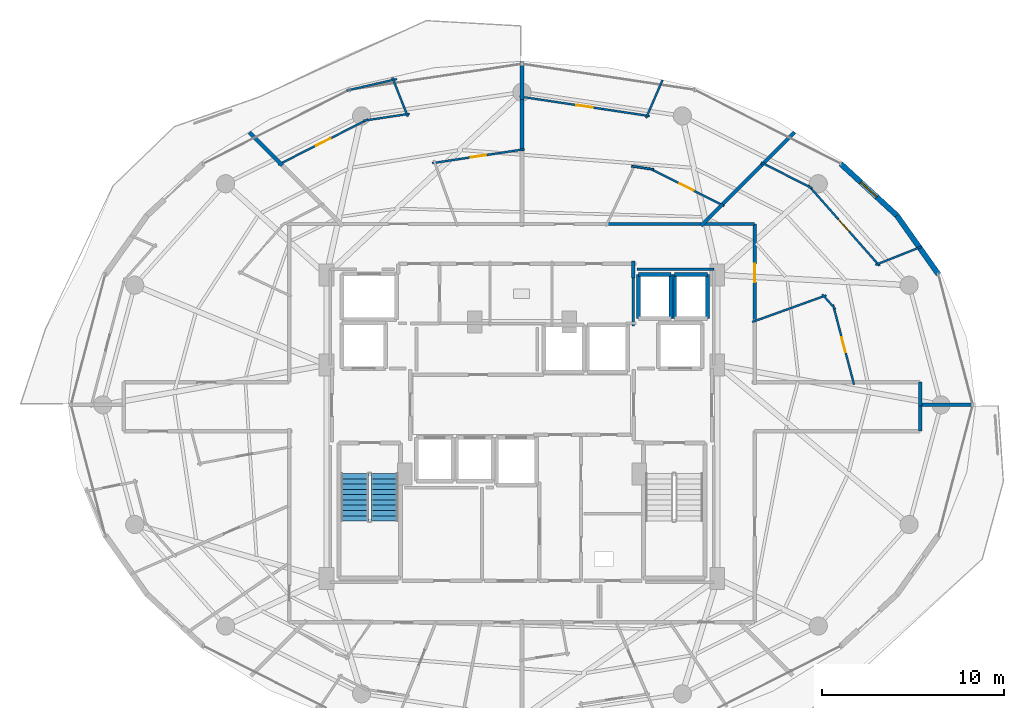
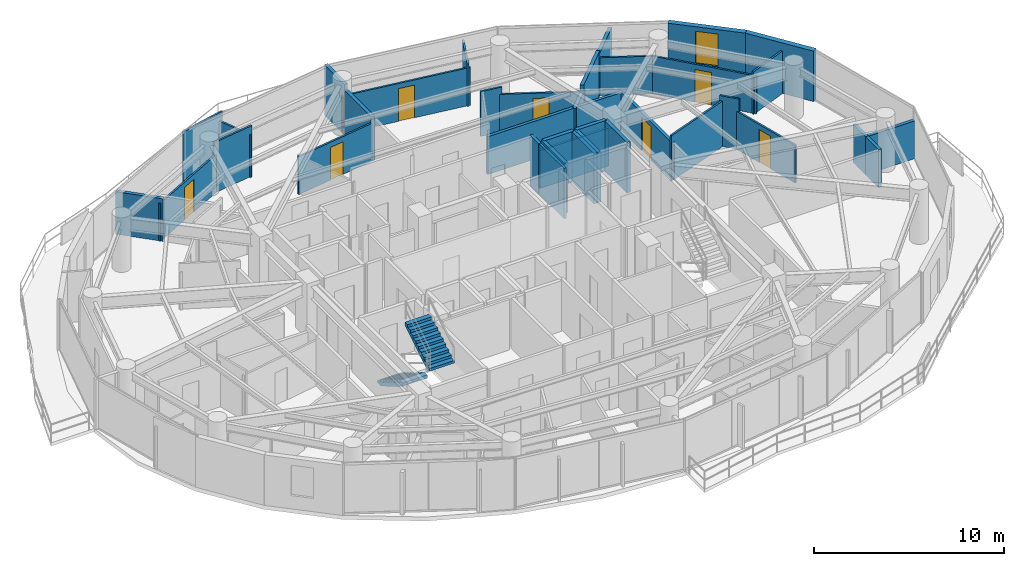
# One storey, part 26 of 31: 38 walls, 7 doors, 2 stair flights, 1 window, 8 openings, 1 element without a shape of its own.
"""IFC4 building model written with IfcOpenShell, lengths in metres."""

from ifc_helpers import new_model, si_unit, direction, frame, frame_2d, origin, place, context, subcontext, project, spatial, polyline, rectangle, outline, extrude, material, layer, layer_set, type_object, element, fill, aggregate, save


model = new_model("IFC4")

# Units and contexts
model_context = context("Model", 3, precision=1e-05, world=origin(), true_north=direction((0.0, 1.0)))
body_context = subcontext(model_context, "Body", "Model", "MODEL_VIEW")
ifc_project = project(units=[si_unit("LENGTHUNIT", "METRE"), si_unit("AREAUNIT", "SQUARE_METRE"), si_unit("VOLUMEUNIT", "CUBIC_METRE"), si_unit("PLANEANGLEUNIT", "RADIAN"), si_unit("MASSUNIT", "GRAM", prefix="KILO")], contexts=[model_context])

# Site, building, storey
site_placement = place(None, origin())
site = spatial("IfcSite", under=ifc_project, at=site_placement, CompositionType="ELEMENT")
building_placement = place(site_placement, origin())
building = spatial("IfcBuilding", under=site, at=building_placement, Name="Vorneva Point Tower", CompositionType="ELEMENT")
storey_placement = place(building_placement, frame((0.0, 0.0, 136.10009765625)))
storey = spatial("IfcBuildingStorey", under=building, at=storey_placement, Name="L36", CompositionType="ELEMENT", Elevation=136.10009765625)

# Wall
ifc_material_1 = material(Name="Precast concrete B50 (C40/50)", Category="concrete")
ifc_layer_1 = layer(ifc_material_1, 0.300048828125)
ifc_layer_set_1 = layer_set([ifc_layer_1], Name="Precast concrete B50 (C40/50)")
wall_type_1 = type_object("IfcWallType", Name="WL-EXT-300", PredefinedType="STANDARD", material=ifc_layer_set_1)
wall_1_placement = place(storey_placement, frame((60.912109375, 33.17529296875, 0.0), z_axis=(0.0, 0.0, 1.0), x_axis=(-0.577269753207, 0.816553508371, 0.0)))
element("IfcWall", 1, at=wall_1_placement, inside=storey, type_object=wall_type_1, Name="L36 Pale-Metal Facade Spandrel Wall 02.1", PredefinedType="STANDARD", context=body_context, shape_type="SweptSolid", body=[
    extrude(rectangle(XDim=3.969970703125, YDim=0.300048828125, at=frame_2d((1.98486328125, 0.0))), origin(), (0.0, 0.0, 1.0), 3.239990234375),
])

# Wall, opening, window
wall_2_placement = place(storey_placement, frame((58.620361328125, 36.4169921875, 0.0), z_axis=(0.0, 0.0, 1.0), x_axis=(-0.735477154165, 0.677549522693, 0.0)))
wall_2 = element("IfcWall", 2, at=wall_2_placement, inside=storey, type_object=wall_type_1, Name="L36 Pale-Metal Facade Spandrel Wall 02.2", PredefinedType="STANDARD", context=body_context, shape_type="SweptSolid", body=[
    extrude(rectangle(XDim=4.193603515625, YDim=0.300048828125, at=frame_2d((2.0966796875, 0.0))), origin(), (0.0, 0.0, 1.0), 3.239990234375),
])
opening_1_placement = place(wall_2_placement, frame((1.496826171875, 0.0, 0.85009765625)))
opening_1 = element("IfcOpeningElement", 3, at=opening_1_placement, cuts=wall_2, Name="Opening W-04", PredefinedType="OPENING", context=body_context, shape_type="SweptSolid", body=[
    extrude(rectangle(XDim=1.199951171875, YDim=2.10009765625, at=frame_2d((0.60009765625, 1.050048828125))), frame((0.0, 0.1650390625, 0.0), z_axis=(0.0, -1.0, 0.0), x_axis=(1.0, 0.0, 0.0)), (0.0, 0.0, 1.0), 0.329833984375),
])
ifc_material_2 = material(Name="Double low-e laminated glass IGU", Category="glass")
window_type = type_object("IfcWindowType", Name="WN-RES-1200", PartitioningType="SINGLE_PANEL", PredefinedType="WINDOW", material=ifc_material_2)
window_placement = place(opening_1_placement, origin())
window = element("IfcWindow", 4, at=window_placement, inside=storey, type_object=window_type, Name="L36 Facade Window 02", OverallHeight=2.10009765625, OverallWidth=1.199951171875, PartitioningType="SINGLE_PANEL", PredefinedType="WINDOW", context=body_context, shape_type="SweptSolid", body=[
    extrude(rectangle(XDim=1.199951171875, YDim=2.10009765625, at=frame_2d((0.60009765625, 1.050048828125))), frame((0.0, 0.030029296875, 0.0), z_axis=(0.0, -1.0, 0.0), x_axis=(1.0, 0.0, 0.0)), (0.0, 0.0, 1.0), 0.06005859375),
])
fill(opening_1, window)

# Walls
ifc_material_3 = material(Name="Fire-rated acoustic gypsum stud partition", Category="gypsum")
ifc_layer_2 = layer(ifc_material_3, 0.110107421875)
ifc_layer_set_2 = layer_set([ifc_layer_2], Name="Fire-rated acoustic gypsum stud partition")
wall_type_2 = type_object("IfcWallType", Name="WL-PART-110", PredefinedType="PARTITIONING", material=ifc_layer_set_2)
wall_3_placement = place(storey_placement, frame((50.668212890625, 30.560546875, 0.0), z_axis=(0.0, 0.0, 1.0), x_axis=(0.94086224956, 0.33878935543, 0.0)))
element("IfcWall", 5, at=wall_3_placement, inside=storey, type_object=wall_type_2, Name="L36 Interior Partition 065", PredefinedType="PARTITIONING", context=body_context, shape_type="SweptSolid", body=[
    extrude(rectangle(XDim=4.32958984375, YDim=0.110107421875, at=frame_2d((2.164794921875, 0.0))), origin(), (0.0, 0.0, 1.0), 2.921875),
])
wall_4_placement = place(storey_placement, frame((54.517333984375, 32.0849609375, 0.0), z_axis=(0.0, 0.0, 1.0), x_axis=(0.661444121134, -0.749994449724, 0.0)))
element("IfcWall", 6, at=wall_4_placement, inside=storey, type_object=wall_type_2, Name="L36 Interior Partition 066", PredefinedType="PARTITIONING", context=body_context, shape_type="SweptSolid", body=[
    extrude(rectangle(XDim=1.091796875, YDim=0.110107421875, at=frame_2d((0.5458984375, 0.0))), origin(), (0.0, 0.0, 1.0), 3.239990234375),
])

# Wall, opening, door
wall_5_placement = place(storey_placement, frame((55.111328125, 31.50634765625, 0.0), z_axis=(0.0, 0.0, 1.0), x_axis=(0.254395386743, -0.96710029842, 0.0)))
wall_5 = element("IfcWall", 7, at=wall_5_placement, inside=storey, type_object=wall_type_2, Name="L36 Interior Partition 067", PredefinedType="PARTITIONING", context=body_context, shape_type="SweptSolid", body=[
    extrude(rectangle(XDim=4.541259765625, YDim=0.110107421875, at=frame_2d((2.2705078125, 0.0))), origin(), (0.0, 0.0, 1.0), 2.431884765625),
])
opening_2_placement = place(wall_5_placement, frame((1.845703125, 0.0, 0.0)))
opening_2 = element("IfcOpeningElement", 8, at=opening_2_placement, cuts=wall_5, Name="Opening ID-02", PredefinedType="OPENING", context=body_context, shape_type="SweptSolid", body=[
    extrude(rectangle(XDim=0.85009765625, YDim=2.10009765625, at=frame_2d((0.425048828125, 1.050048828125))), frame((0.0, 0.06982421875, 0.0), z_axis=(0.0, -1.0, 0.0), x_axis=(1.0, 0.0, 0.0)), (0.0, 0.0, 1.0), 0.139892578125),
])
ifc_material_4 = material(Name="Engineered oak fire-rated door leaf", Category="wood")
door_type_1 = type_object("IfcDoorType", Name="DR-BATH-850", OperationType="NOTDEFINED", PredefinedType="DOOR", material=ifc_material_4)
door_1_placement = place(opening_2_placement, origin())
door_1 = element("IfcDoor", 9, at=door_1_placement, inside=storey, type_object=door_type_1, Name="L36 Door Studio Apartment L36-01 / Bathroom L36-01", OperationType="SINGLE_SWING_LEFT", OverallHeight=2.10009765625, OverallWidth=0.85009765625, PredefinedType="DOOR", context=body_context, shape_type="SweptSolid", body=[
    extrude(rectangle(XDim=0.85009765625, YDim=2.10009765625, at=frame_2d((0.425048828125, 1.050048828125))), frame((0.0, 0.02490234375, 0.0), z_axis=(0.0, -1.0, 0.0), x_axis=(1.0, 0.0, 0.0)), (0.0, 0.0, 1.0), 0.050048828125),
])
fill(opening_2, door_1)

# Wall
wall_6_placement = place(storey_placement, frame((59.9931640625, 34.70751953125, 0.0), z_axis=(0.0, 0.0, 1.0), x_axis=(-0.92976723416, -0.368147919025, 0.0)))
element("IfcWall", 10, at=wall_6_placement, inside=storey, type_object=wall_type_2, Name="L36 Interior Partition 068", PredefinedType="PARTITIONING", context=body_context, shape_type="SweptSolid", body=[
    extrude(rectangle(XDim=2.74072265625, YDim=0.110107421875, at=frame_2d((1.370361328125, 0.0))), origin(), (0.0, 0.0, 1.0), 2.727783203125),
])

# Wall, opening, door
wall_7_placement = place(storey_placement, frame((57.667724609375, 33.64501953125, 0.0), z_axis=(0.0, 0.0, 1.0), x_axis=(-0.66214504072, 0.749375703536, 0.0)))
wall_7 = element("IfcWall", 11, at=wall_7_placement, inside=storey, type_object=wall_type_2, Name="L36 Interior Partition 069", PredefinedType="PARTITIONING", context=body_context, shape_type="SweptSolid", body=[
    extrude(rectangle(XDim=5.92236328125, YDim=0.110107421875, at=frame_2d((2.961181640625, 0.0))), origin(), (0.0, 0.0, 1.0), 2.431884765625),
])
opening_3_placement = place(wall_7_placement, frame((2.510986328125, 0.0, 0.0)))
opening_3 = element("IfcOpeningElement", 12, at=opening_3_placement, cuts=wall_7, Name="Opening ID-01", PredefinedType="OPENING", context=body_context, shape_type="SweptSolid", body=[
    extrude(rectangle(XDim=0.89990234375, YDim=2.10009765625, at=frame_2d((0.449951171875, 1.050048828125))), frame((0.0, 0.06982421875, 0.0), z_axis=(0.0, -1.0, 0.0), x_axis=(1.0, 0.0, 0.0)), (0.0, 0.0, 1.0), 0.139892578125),
])
door_type_2 = type_object("IfcDoorType", Name="DR-ROOM-900", OperationType="NOTDEFINED", PredefinedType="DOOR", material=ifc_material_4)
door_2_placement = place(opening_3_placement, origin())
door_2 = element("IfcDoor", 13, at=door_2_placement, inside=storey, type_object=door_type_2, Name="L36 Door Studio Apartment L36-01 / Kitchen L36-01", OperationType="SINGLE_SWING_RIGHT", OverallHeight=2.10009765625, OverallWidth=0.89990234375, PredefinedType="DOOR", context=body_context, shape_type="SweptSolid", body=[
    extrude(rectangle(XDim=0.89990234375, YDim=2.10009765625, at=frame_2d((0.449951171875, 1.050048828125))), frame((0.0, 0.02490234375, 0.0), z_axis=(0.0, -1.0, 0.0), x_axis=(1.0, 0.0, 0.0)), (0.0, 0.0, 1.0), 0.050048828125),
])
fill(opening_3, door_2)

# Walls
wall_8_placement = place(storey_placement, frame((53.964111328125, 37.914794921875, 0.0), z_axis=(0.0, 0.0, 1.0), x_axis=(-0.892546166909, 0.450956028828, 0.0)))
element("IfcWall", 14, at=wall_8_placement, inside=storey, type_object=wall_type_2, Name="L36 Interior Partition 070", PredefinedType="PARTITIONING", context=body_context, shape_type="SweptSolid", body=[
    extrude(rectangle(XDim=3.154052734375, YDim=0.110107421875, at=frame_2d((1.5771484375, 0.0))), origin(), (0.0, 0.0, 1.0), 2.431884765625),
])
wall_9_placement = place(storey_placement, frame((44.029541015625, 39.128662109375, 0.0), z_axis=(0.0, 0.0, 1.0), x_axis=(0.988983067014, -0.148028690329, 0.0)))
element("IfcWall", 15, at=wall_9_placement, inside=storey, type_object=wall_type_2, Name="L36 Interior Partition 076", PredefinedType="PARTITIONING", context=body_context, shape_type="SweptSolid", body=[
    extrude(rectangle(XDim=1.225341796875, YDim=0.110107421875, at=frame_2d((0.61279296875, 0.0))), origin(), (0.0, 0.0, 1.0), 2.8740234375),
])

# Wall, opening, door
wall_10_placement = place(storey_placement, frame((44.97802734375, 39.031005859375, 0.0), z_axis=(0.0, 0.0, 1.0), x_axis=(0.892495276856, -0.451056737882, 0.0)))
wall_10 = element("IfcWall", 16, at=wall_10_placement, inside=storey, type_object=wall_type_2, Name="L36 Interior Partition 077", PredefinedType="PARTITIONING", context=body_context, shape_type="SweptSolid", body=[
    extrude(rectangle(XDim=4.64501953125, YDim=0.110107421875, at=frame_2d((2.322509765625, 0.0))), origin(), (0.0, 0.0, 1.0), 2.431884765625),
])
opening_4_placement = place(wall_10_placement, frame((1.897705078125, 0.0, 0.0)))
opening_4 = element("IfcOpeningElement", 17, at=opening_4_placement, cuts=wall_10, Name="Opening ID-02", PredefinedType="OPENING", context=body_context, shape_type="SweptSolid", body=[
    extrude(rectangle(XDim=0.85009765625, YDim=2.10009765625, at=frame_2d((0.425048828125, 1.050048828125))), frame((0.0, 0.06982421875, 0.0), z_axis=(0.0, -1.0, 0.0), x_axis=(1.0, 0.0, 0.0)), (0.0, 0.0, 1.0), 0.139892578125),
])
door_3_placement = place(opening_4_placement, origin())
door_3 = element("IfcDoor", 18, at=door_3_placement, inside=storey, type_object=door_type_1, Name="L36 Door Studio Apartment L36-02 / Bathroom L36-02", OperationType="SINGLE_SWING_LEFT", OverallHeight=2.10009765625, OverallWidth=0.85009765625, PredefinedType="DOOR", context=body_context, shape_type="SweptSolid", body=[
    extrude(rectangle(XDim=0.85009765625, YDim=2.10009765625, at=frame_2d((0.425048828125, 1.050048828125))), frame((0.0, 0.02490234375, 0.0), z_axis=(0.0, -1.0, 0.0), x_axis=(1.0, 0.0, 0.0)), (0.0, 0.0, 1.0), 0.050048828125),
])
fill(opening_4, door_3)

wall_11_placement = place(storey_placement, frame((45.021484375, 41.88427734375, 0.0), z_axis=(0.0, 0.0, 1.0), x_axis=(-0.988887079739, 0.148668569392, 0.0)))
wall_11 = element("IfcWall", 19, at=wall_11_placement, inside=storey, type_object=wall_type_2, Name="L36 Interior Partition 078", PredefinedType="PARTITIONING", context=body_context, shape_type="SweptSolid", body=[
    extrude(rectangle(XDim=7.240478515625, YDim=0.110107421875, at=frame_2d((3.6201171875, 0.0))), origin(), (0.0, 0.0, 1.0), 2.431884765625),
])
opening_5_placement = place(wall_11_placement, frame((3.170166015625, 0.0, 0.0)))
opening_5 = element("IfcOpeningElement", 20, at=opening_5_placement, cuts=wall_11, Name="Opening ID-01", PredefinedType="OPENING", context=body_context, shape_type="SweptSolid", body=[
    extrude(rectangle(XDim=0.89990234375, YDim=2.10009765625, at=frame_2d((0.449951171875, 1.050048828125))), frame((0.0, 0.06982421875, 0.0), z_axis=(0.0, -1.0, 0.0), x_axis=(1.0, 0.0, 0.0)), (0.0, 0.0, 1.0), 0.139892578125),
])
door_4_placement = place(opening_5_placement, origin())
door_4 = element("IfcDoor", 21, at=door_4_placement, inside=storey, type_object=door_type_2, Name="L36 Door Studio Apartment L36-02 / Kitchen L36-02", OperationType="SINGLE_SWING_RIGHT", OverallHeight=2.10009765625, OverallWidth=0.89990234375, PredefinedType="DOOR", context=body_context, shape_type="SweptSolid", body=[
    extrude(rectangle(XDim=0.89990234375, YDim=2.10009765625, at=frame_2d((0.449951171875, 1.050048828125))), frame((0.0, 0.02490234375, 0.0), z_axis=(0.0, -1.0, 0.0), x_axis=(1.0, 0.0, 0.0)), (0.0, 0.0, 1.0), 0.050048828125),
])
fill(opening_5, door_4)

# Wall
wall_12_placement = place(storey_placement, frame((45.731689453125, 43.866455078125, 0.0), z_axis=(0.0, 0.0, 1.0), x_axis=(-0.397125966554, -0.91776411277, 0.0)))
element("IfcWall", 22, at=wall_12_placement, inside=storey, type_object=wall_type_2, Name="L36 Interior Partition 079", PredefinedType="PARTITIONING", context=body_context, shape_type="SweptSolid", body=[
    extrude(rectangle(XDim=2.277099609375, YDim=0.110107421875, at=frame_2d((1.138671875, 0.0))), origin(), (0.0, 0.0, 1.0), 2.727783203125),
])

# Wall, opening, door
wall_13_placement = place(storey_placement, frame((33.067626953125, 39.294189453125, 0.0), z_axis=(0.0, 0.0, 1.0), x_axis=(0.988876905643, 0.148736227888, 0.0)))
wall_13 = element("IfcWall", 23, at=wall_13_placement, inside=storey, type_object=wall_type_2, Name="L36 Interior Partition 084", PredefinedType="PARTITIONING", context=body_context, shape_type="SweptSolid", body=[
    extrude(rectangle(XDim=5.1279296875, YDim=0.110107421875, at=frame_2d((2.56396484375, 0.0))), origin(), (0.0, 0.0, 1.0), 2.431884765625),
])
opening_6_placement = place(wall_13_placement, frame((2.138916015625, 0.0, 0.0)))
opening_6 = element("IfcOpeningElement", 24, at=opening_6_placement, cuts=wall_13, Name="Opening ID-02", PredefinedType="OPENING", context=body_context, shape_type="SweptSolid", body=[
    extrude(rectangle(XDim=0.85009765625, YDim=2.10009765625, at=frame_2d((0.425048828125, 1.050048828125))), frame((0.0, 0.06982421875, 0.0), z_axis=(0.0, -1.0, 0.0), x_axis=(1.0, 0.0, 0.0)), (0.0, 0.0, 1.0), 0.139892578125),
])
door_5_placement = place(opening_6_placement, origin())
door_5 = element("IfcDoor", 25, at=door_5_placement, inside=storey, type_object=door_type_1, Name="L36 Door Studio Apartment L36-03 / Bathroom L36-03", OperationType="SINGLE_SWING_LEFT", OverallHeight=2.10009765625, OverallWidth=0.85009765625, PredefinedType="DOOR", context=body_context, shape_type="SweptSolid", body=[
    extrude(rectangle(XDim=0.85009765625, YDim=2.10009765625, at=frame_2d((0.425048828125, 1.050048828125))), frame((0.0, 0.02490234375, 0.0), z_axis=(0.0, -1.0, 0.0), x_axis=(1.0, 0.0, 0.0)), (0.0, 0.0, 1.0), 0.050048828125),
])
fill(opening_6, door_5)

# Walls
wall_14_placement = place(storey_placement, frame((30.87158203125, 44.005126953125, 0.0), z_axis=(0.0, 0.0, 1.0), x_axis=(0.368016079814, -0.929819426017, 0.0)))
element("IfcWall", 26, at=wall_14_placement, inside=storey, type_object=wall_type_2, Name="L36 Interior Partition 085", PredefinedType="PARTITIONING", context=body_context, shape_type="SweptSolid", body=[
    extrude(rectangle(XDim=2.309326171875, YDim=0.110107421875, at=frame_2d((1.15478515625, 0.0))), origin(), (0.0, 0.0, 1.0), 2.727783203125),
])
wall_15_placement = place(storey_placement, frame((31.808349609375, 42.0087890625, 0.0), z_axis=(0.0, 0.0, 1.0), x_axis=(-0.988887788943, -0.148663851958, 0.0)))
element("IfcWall", 27, at=wall_15_placement, inside=storey, type_object=wall_type_2, Name="L36 Interior Partition 086", PredefinedType="PARTITIONING", context=body_context, shape_type="SweptSolid", body=[
    extrude(rectangle(XDim=2.547119140625, YDim=0.110107421875, at=frame_2d((1.2734375, 0.0))), origin(), (0.0, 0.0, 1.0), 3.239990234375),
])

# Wall, opening, door
wall_16_placement = place(storey_placement, frame((29.552978515625, 41.714111328125, 0.0), z_axis=(0.0, 0.0, 1.0), x_axis=(-0.892438454993, -0.451169152369, 0.0)))
wall_16 = element("IfcWall", 28, at=wall_16_placement, inside=storey, type_object=wall_type_2, Name="L36 Interior Partition 087", PredefinedType="PARTITIONING", context=body_context, shape_type="SweptSolid", body=[
    extrude(rectangle(XDim=5.548828125, YDim=0.110107421875, at=frame_2d((2.7744140625, 0.0))), origin(), (0.0, 0.0, 1.0), 2.431884765625),
])
opening_7_placement = place(wall_16_placement, frame((2.32421875, 0.0, 0.0)))
opening_7 = element("IfcOpeningElement", 29, at=opening_7_placement, cuts=wall_16, Name="Opening ID-01", PredefinedType="OPENING", context=body_context, shape_type="SweptSolid", body=[
    extrude(rectangle(XDim=0.89990234375, YDim=2.10009765625, at=frame_2d((0.449951171875, 1.050048828125))), frame((0.0, 0.06982421875, 0.0), z_axis=(0.0, -1.0, 0.0), x_axis=(1.0, 0.0, 0.0)), (0.0, 0.0, 1.0), 0.139892578125),
])
door_6_placement = place(opening_7_placement, origin())
door_6 = element("IfcDoor", 30, at=door_6_placement, inside=storey, type_object=door_type_2, Name="L36 Door Studio Apartment L36-03 / Kitchen L36-03", OperationType="SINGLE_SWING_RIGHT", OverallHeight=2.10009765625, OverallWidth=0.89990234375, PredefinedType="DOOR", context=body_context, shape_type="SweptSolid", body=[
    extrude(rectangle(XDim=0.89990234375, YDim=2.10009765625, at=frame_2d((0.449951171875, 1.050048828125))), frame((0.0, 0.02490234375, 0.0), z_axis=(0.0, -1.0, 0.0), x_axis=(1.0, 0.0, 0.0)), (0.0, 0.0, 1.0), 0.050048828125),
])
fill(opening_7, door_6)

# Walls
wall_17_placement = place(storey_placement, frame((31.118408203125, 43.92041015625, 0.0), z_axis=(0.0, 0.0, 1.0), x_axis=(-0.974594373263, -0.223977247963, 0.0)))
element("IfcWall", 31, at=wall_17_placement, inside=storey, type_object=wall_type_2, Name="L36 Interior Partition 088", PredefinedType="PARTITIONING", context=body_context, shape_type="SweptSolid", body=[
    extrude(rectangle(XDim=2.82958984375, YDim=0.110107421875, at=frame_2d((1.414794921875, 0.0))), origin(), (0.0, 0.0, 1.0), 3.239990234375),
])
ifc_layer_3 = layer(ifc_material_3, 0.139892578125)
ifc_layer_set_3 = layer_set([ifc_layer_3], Name="Fire-rated acoustic gypsum stud partition")
wall_type_3 = type_object("IfcWallType", Name="WL-PART-140", PredefinedType="PARTITIONING", material=ifc_layer_set_3)
wall_18_placement = place(storey_placement, frame((44.1201171875, 30.340087890625, 0.0), z_axis=(0.0, 0.0, 1.0), x_axis=(0.0, 1.0, 0.0)))
element("IfcWall", 32, at=wall_18_placement, inside=storey, type_object=wall_type_3, Name="L36 Interior Closure Partition 135", PredefinedType="PARTITIONING", context=body_context, shape_type="SweptSolid", body=[
    extrude(rectangle(XDim=2.659912109375, YDim=0.139892578125, at=frame_2d((1.330078125, 0.0))), origin(), (0.0, 0.0, 1.0), 3.239990234375),
])
wall_19_placement = place(storey_placement, frame((48.550048828125, 33.449951171875, 0.0), z_axis=(0.0, 0.0, 1.0), x_axis=(-1.0, 0.0, 0.0)))
element("IfcWall", 33, at=wall_19_placement, inside=storey, type_object=wall_type_3, Name="L36 Interior Closure Partition 142", PredefinedType="PARTITIONING", context=body_context, shape_type="SweptSolid", body=[
    extrude(rectangle(XDim=4.2099609375, YDim=0.139892578125, at=frame_2d((2.10498046875, 0.0))), origin(), (0.0, 0.0, 1.0), 2.431884765625),
])
ifc_material_5 = material(Name="Autoclaved aerated concrete blockwork", Category="masonry")
ifc_layer_4 = layer(ifc_material_5, 0.179931640625)
ifc_layer_set_4 = layer_set([ifc_layer_4], Name="Autoclaved aerated concrete blockwork")
wall_type_4 = type_object("IfcWallType", Name="WL-PART-180", PredefinedType="PARTITIONING", material=ifc_layer_set_4)
wall_20_placement = place(storey_placement, frame((44.1201171875, 32.969970703125, 0.0), z_axis=(0.0, 0.0, 1.0), x_axis=(0.0, 1.0, 0.0)))
element("IfcWall", 34, at=wall_20_placement, inside=storey, type_object=wall_type_4, Name="L36 Interior Partition 026", PredefinedType="PARTITIONING", context=body_context, shape_type="SweptSolid", body=[
    extrude(rectangle(XDim=0.929931640625, YDim=0.179931640625, at=frame_2d((0.46484375, 0.0))), origin(), (0.0, 0.0, 1.0), 3.239990234375),
])
wall_21_placement = place(storey_placement, frame((59.89990234375, 25.93994140625, 0.0), z_axis=(0.0, 0.0, 1.0), x_axis=(0.0, 1.0, 0.0)))
element("IfcWall", 35, at=wall_21_placement, inside=storey, type_object=wall_type_4, Name="L36 Interior Partition 030", PredefinedType="PARTITIONING", context=body_context, shape_type="SweptSolid", body=[
    extrude(rectangle(XDim=1.31005859375, YDim=0.179931640625, at=frame_2d((0.655029296875, 0.0))), origin(), (0.0, 0.0, 1.0), 2.431884765625),
])

# Wall, opening, door
wall_22_placement = place(storey_placement, frame((50.800048828125, 30.548095703125, 0.0), z_axis=(0.0, 0.0, 1.0), x_axis=(0.0, 1.0, 0.0)))
wall_22 = element("IfcWall", 36, at=wall_22_placement, inside=storey, type_object=wall_type_4, Name="L36 Interior Partition 032", PredefinedType="PARTITIONING", context=body_context, shape_type="SweptSolid", body=[
    extrude(rectangle(XDim=5.40185546875, YDim=0.179931640625, at=frame_2d((2.700927734375, 0.0))), origin(), (0.0, 0.0, 1.0), 2.431884765625),
])
opening_8_placement = place(wall_22_placement, frame((2.200927734375, 0.0, 0.0)))
opening_8 = element("IfcOpeningElement", 37, at=opening_8_placement, cuts=wall_22, Name="Opening UD-01", PredefinedType="OPENING", context=body_context, shape_type="SweptSolid", body=[
    extrude(rectangle(XDim=1.0, YDim=2.14990234375, at=frame_2d((0.5, 1.074951171875))), frame((0.0, 0.10498046875, 0.0), z_axis=(0.0, -1.0, 0.0), x_axis=(1.0, 0.0, 0.0)), (0.0, 0.0, 1.0), 0.209716796875),
])
door_type_3 = type_object("IfcDoorType", Name="DR-UNIT-1000", OperationType="NOTDEFINED", PredefinedType="DOOR", material=ifc_material_4)
door_7_placement = place(opening_8_placement, origin())
door_7 = element("IfcDoor", 38, at=door_7_placement, inside=storey, type_object=door_type_3, Name="L36 Door L36 Circulation Corridor / Studio Apartment L36-01", OperationType="SINGLE_SWING_LEFT", OverallHeight=2.14990234375, OverallWidth=1.0, PredefinedType="DOOR", context=body_context, shape_type="SweptSolid", body=[
    extrude(rectangle(XDim=1.0, YDim=2.14990234375, at=frame_2d((0.5, 1.074951171875))), frame((0.0, 0.02490234375, 0.0), z_axis=(0.0, -1.0, 0.0), x_axis=(1.0, 0.0, 0.0)), (0.0, 0.0, 1.0), 0.050048828125),
])
fill(opening_8, door_7)

# Walls
wall_23_placement = place(storey_placement, frame((50.800048828125, 35.949951171875, 0.0), z_axis=(0.0, 0.0, 1.0), x_axis=(-1.0, 0.0, 0.0)))
element("IfcWall", 39, at=wall_23_placement, inside=storey, type_object=wall_type_4, Name="L36 Interior Partition 033", PredefinedType="PARTITIONING", context=body_context, shape_type="SweptSolid", body=[
    extrude(rectangle(XDim=2.91015625, YDim=0.179931640625, at=frame_2d((1.455078125, 0.0))), origin(), (0.0, 0.0, 1.0), 2.431884765625),
])
wall_24_placement = place(storey_placement, frame((48.030029296875, 35.949951171875, 0.0), z_axis=(0.0, 0.0, 1.0), x_axis=(-1.0, 0.0, 0.0)))
element("IfcWall", 40, at=wall_24_placement, inside=storey, type_object=wall_type_4, Name="L36 Interior Partition 037", PredefinedType="PARTITIONING", context=body_context, shape_type="SweptSolid", body=[
    extrude(rectangle(XDim=5.422119140625, YDim=0.179931640625, at=frame_2d((2.7109375, 0.0))), origin(), (0.0, 0.0, 1.0), 2.431884765625),
])
wall_25_placement = place(storey_placement, frame((59.89990234375, 24.550048828125, 0.0), z_axis=(0.0, 0.0, 1.0), x_axis=(0.0, 1.0, 0.0)))
element("IfcWall", 41, at=wall_25_placement, inside=storey, type_object=wall_type_4, Name="L36 Interior Partition 064", PredefinedType="PARTITIONING", context=body_context, shape_type="SweptSolid", body=[
    extrude(rectangle(XDim=1.389892578125, YDim=0.179931640625, at=frame_2d((0.69482421875, 0.0))), origin(), (0.0, 0.0, 1.0), 2.431884765625),
])
ifc_layer_5 = layer(ifc_material_5, 0.199951171875)
ifc_layer_set_5 = layer_set([ifc_layer_5], Name="Autoclaved aerated concrete blockwork")
wall_type_5 = type_object("IfcWallType", Name="WL-PART-200", PredefinedType="PARTITIONING", material=ifc_layer_set_5)
wall_26_placement = place(storey_placement, frame((51.27392578125, 39.27392578125, 0.0), z_axis=(0.0, 0.0, 1.0), x_axis=(-0.707106781187, -0.707106781187, 0.0)))
element("IfcWall", 42, at=wall_26_placement, inside=storey, type_object=wall_type_5, Name="L36 Interior Partition 071", PredefinedType="PARTITIONING", context=body_context, shape_type="SweptSolid", body=[
    extrude(rectangle(XDim=3.28076171875, YDim=0.199951171875, at=frame_2d((1.640380859375, 0.0))), origin(), (0.0, 0.0, 1.0), 2.8740234375),
])
wall_27_placement = place(storey_placement, frame((49.052978515625, 37.052978515625, 0.0), z_axis=(0.0, 0.0, 1.0), x_axis=(-0.707106781187, -0.707106781187, 0.0)))
element("IfcWall", 43, at=wall_27_placement, inside=storey, type_object=wall_type_5, Name="L36 Interior Partition 072", PredefinedType="PARTITIONING", context=body_context, shape_type="SweptSolid", body=[
    extrude(rectangle(XDim=1.69970703125, YDim=0.199951171875, at=frame_2d((0.849853515625, 0.0))), origin(), (0.0, 0.0, 1.0), 2.431884765625),
])
wall_28_placement = place(storey_placement, frame((59.89990234375, 26.0, 0.0), z_axis=(0.0, 0.0, 1.0), x_axis=(1.0, 0.0, 0.0)))
element("IfcWall", 44, at=wall_28_placement, inside=storey, type_object=wall_type_5, Name="L36 Interior Partition 073", PredefinedType="PARTITIONING", context=body_context, shape_type="SweptSolid", body=[
    extrude(rectangle(XDim=2.899169921875, YDim=0.199951171875, at=frame_2d((1.44970703125, 0.0))), origin(), (0.0, 0.0, 1.0), 2.431884765625),
])
wall_29_placement = place(storey_placement, frame((52.993896484375, 40.993896484375, 0.0), z_axis=(0.0, 0.0, 1.0), x_axis=(-0.707106781187, -0.707106781187, 0.0)))
element("IfcWall", 45, at=wall_29_placement, inside=storey, type_object=wall_type_5, Name="L36 Interior Partition 074", PredefinedType="PARTITIONING", context=body_context, shape_type="SweptSolid", body=[
    extrude(rectangle(XDim=2.572265625, YDim=0.199951171875, at=frame_2d((1.2861328125, 0.0))), origin(), (0.0, 0.0, 1.0), 2.727783203125),
])
wall_30_placement = place(storey_placement, frame((38.0, 42.93994140625, 0.0), z_axis=(0.0, 0.0, 1.0), x_axis=(0.0, -1.0, 0.0)))
element("IfcWall", 46, at=wall_30_placement, inside=storey, type_object=wall_type_5, Name="L36 Interior Partition 080", PredefinedType="PARTITIONING", context=body_context, shape_type="SweptSolid", body=[
    extrude(rectangle(XDim=2.96484375, YDim=0.199951171875, at=frame_2d((1.482421875, 0.0))), origin(), (0.0, 0.0, 1.0), 2.8740234375),
])
wall_31_placement = place(storey_placement, frame((38.0, 44.889892578125, 0.0), z_axis=(0.0, 0.0, 1.0), x_axis=(0.0, -1.0, 0.0)))
element("IfcWall", 47, at=wall_31_placement, inside=storey, type_object=wall_type_5, Name="L36 Interior Partition 082", PredefinedType="PARTITIONING", context=body_context, shape_type="SweptSolid", body=[
    extrude(rectangle(XDim=2.08984375, YDim=0.199951171875, at=frame_2d((1.044921875, 0.0))), origin(), (0.0, 0.0, 1.0), 3.239990234375),
])
wall_32_placement = place(storey_placement, frame((23.006103515625, 40.993896484375, 0.0), z_axis=(0.0, 0.0, 1.0), x_axis=(0.707106781187, -0.707106781187, 0.0)))
element("IfcWall", 48, at=wall_32_placement, inside=storey, type_object=wall_type_5, Name="L36 Interior Partition 091", PredefinedType="PARTITIONING", context=body_context, shape_type="SweptSolid", body=[
    extrude(rectangle(XDim=2.572265625, YDim=0.199951171875, at=frame_2d((1.2861328125, 0.0))), origin(), (0.0, 0.0, 1.0), 2.727783203125),
])
ifc_material_6 = material(Name="Concrete B50 (C40/50)", Category="concrete")
ifc_layer_6 = layer(ifc_material_6, 0.219970703125)
ifc_layer_set_6 = layer_set([ifc_layer_6], Name="Concrete B50 (C40/50)")
wall_type_6 = type_object("IfcWallType", Name="WL-SHFT-220", PredefinedType="SOLIDWALL", material=ifc_layer_set_6)
wall_33_placement = place(storey_placement, frame((46.199951171875, 30.739990234375, 0.0), z_axis=(0.0, 0.0, 1.0), x_axis=(0.0, 1.0, 0.0)))
element("IfcWall", 49, at=wall_33_placement, inside=storey, type_object=wall_type_6, Name="L36 Lift EX1 Shaft Wall +X", PredefinedType="SOLIDWALL", context=body_context, shape_type="SweptSolid", body=[
    extrude(rectangle(XDim=2.419921875, YDim=0.219970703125, at=frame_2d((1.2099609375, 0.0))), origin(), (0.0, 0.0, 1.0), 3.239990234375),
])
wall_34_placement = place(storey_placement, frame((46.199951171875, 33.159912109375, 0.0), z_axis=(0.0, 0.0, 1.0), x_axis=(-1.0, 0.0, 0.0)))
element("IfcWall", 50, at=wall_34_placement, inside=storey, type_object=wall_type_6, Name="L36 Lift EX1 Shaft Wall +Y", PredefinedType="SOLIDWALL", context=body_context, shape_type="SweptSolid", body=[
    extrude(rectangle(XDim=1.800048828125, YDim=0.219970703125, at=frame_2d((0.89990234375, 0.0))), origin(), (0.0, 0.0, 1.0), 3.239990234375),
])
for number, where, z_axis, x_axis, name in (
    (51, (44.39990234375, 33.159912109375, 0.0), (0.0, 0.0, 1.0), (0.0, -1.0, 0.0), "L36 Lift EX1 Shaft Wall -X"),
    (52, (48.199951171875, 30.739990234375, 0.0), (0.0, 0.0, 1.0), (0.0, 1.0, 0.0), "L36 Lift EX2 Shaft Wall +X"),
):
    element("IfcWall", number, at=place(storey_placement, frame(where, z_axis=z_axis, x_axis=x_axis)), inside=storey, type_object=wall_type_6, Name=name, PredefinedType="SOLIDWALL", context=body_context, shape_type="SweptSolid", body=[
        extrude(rectangle(XDim=2.419921875, YDim=0.219970703125, at=frame_2d((1.2099609375, 0.0))), origin(), (0.0, 0.0, 1.0), 3.239990234375),
    ])
wall_35_placement = place(storey_placement, frame((48.199951171875, 33.159912109375, 0.0), z_axis=(0.0, 0.0, 1.0), x_axis=(-1.0, 0.0, 0.0)))
element("IfcWall", 53, at=wall_35_placement, inside=storey, type_object=wall_type_6, Name="L36 Lift EX2 Shaft Wall +Y", PredefinedType="SOLIDWALL", context=body_context, shape_type="SweptSolid", body=[
    extrude(rectangle(XDim=1.800048828125, YDim=0.219970703125, at=frame_2d((0.89990234375, 0.0))), origin(), (0.0, 0.0, 1.0), 3.239990234375),
])
wall_36_placement = place(storey_placement, frame((46.39990234375, 33.159912109375, 0.0), z_axis=(0.0, 0.0, 1.0), x_axis=(0.0, -1.0, 0.0)))
element("IfcWall", 54, at=wall_36_placement, inside=storey, type_object=wall_type_6, Name="L36 Lift EX2 Shaft Wall -X", PredefinedType="SOLIDWALL", context=body_context, shape_type="SweptSolid", body=[
    extrude(rectangle(XDim=2.419921875, YDim=0.219970703125, at=frame_2d((1.2099609375, 0.0))), origin(), (0.0, 0.0, 1.0), 3.239990234375),
])

# Stair, stair flights
stair_type = type_object("IfcStairType", Name="ST-DOG-1500", PredefinedType="HALF_TURN_STAIR", material=ifc_material_6)
stair_placement = place(storey_placement, origin())
stair = element("IfcStair", 55, at=stair_placement, inside=storey, type_object=stair_type, Name="L36 ST1", PredefinedType="HALF_TURN_STAIR")
stair_flight_type = type_object("IfcStairFlightType", Name="STF-1500", PredefinedType="STRAIGHT", material=ifc_material_6)
stair_flight_1_placement = place(storey_placement, frame((28.800048828125, 22.219970703125, 0.0), z_axis=(0.0, 0.0, 1.0), x_axis=(0.0, -1.0, 0.0)))
stair_flight_1 = element("IfcStairFlight", 56, at=stair_flight_1_placement, type_object=stair_flight_type, Name="ST1 flight 1", NumberOfRisers=10, NumberOfTreads=9, PredefinedType="STRAIGHT", RiserHeight=0.175, TreadLength=0.29, context=body_context, shape_type="SweptSolid", body=[
    extrude(outline(polyline([(0.0, 0.0), (0.0, 0.175048828125), (0.2900390625, 0.175048828125), (0.2900390625, 0.35009765625), (0.580078125, 0.35009765625), (0.580078125, 0.52490234375), (0.8701171875, 0.52490234375), (0.8701171875, 0.699951171875), (1.159912109375, 0.699951171875), (1.159912109375, 0.875), (1.449951171875, 0.875), (1.449951171875, 1.050048828125), (1.739990234375, 1.050048828125), (1.739990234375, 1.22509765625), (2.030029296875, 1.22509765625), (2.030029296875, 1.39990234375), (2.320068359375, 1.39990234375), (2.320068359375, 1.574951171875), (2.610107421875, 1.574951171875), (2.610107421875, 1.75), (2.610107421875, 1.36474609375), (0.34814453125, 0.0), (0.0, 0.0)])), frame((0.0, 0.75, 0.0), z_axis=(0.0, -1.0, 0.0), x_axis=(1.0, 0.0, 0.0)), (0.0, 0.0, 1.0), 1.5),
])
stair_flight_2_placement = place(storey_placement, frame((30.449951171875, 19.610107421875, 1.75), z_axis=(0.0, 0.0, 1.0), x_axis=(0.0, 1.0, 0.0)))
stair_flight_2 = element("IfcStairFlight", 57, at=stair_flight_2_placement, type_object=stair_flight_type, Name="ST1 flight 2", NumberOfRisers=10, NumberOfTreads=9, PredefinedType="STRAIGHT", RiserHeight=0.175, TreadLength=0.29, context=body_context, shape_type="SweptSolid", body=[
    extrude(outline(polyline([(0.0, 0.0), (0.0, 0.175048828125), (0.2900390625, 0.175048828125), (0.2900390625, 0.35009765625), (0.580078125, 0.35009765625), (0.580078125, 0.52490234375), (0.8701171875, 0.52490234375), (0.8701171875, 0.699951171875), (1.159912109375, 0.699951171875), (1.159912109375, 0.875), (1.449951171875, 0.875), (1.449951171875, 1.050048828125), (1.739990234375, 1.050048828125), (1.739990234375, 1.22509765625), (2.030029296875, 1.22509765625), (2.030029296875, 1.39990234375), (2.320068359375, 1.39990234375), (2.320068359375, 1.574951171875), (2.610107421875, 1.574951171875), (2.610107421875, 1.75), (2.610107421875, 1.36474609375), (0.34814453125, 0.0), (0.0, 0.0)])), frame((0.0, 0.75, 0.0), z_axis=(0.0, -1.0, 0.0), x_axis=(1.0, 0.0, 0.0)), (0.0, 0.0, 1.0), 1.5),
])
aggregate(stair, [stair_flight_1, stair_flight_2])

save(model, "model.ifc")
